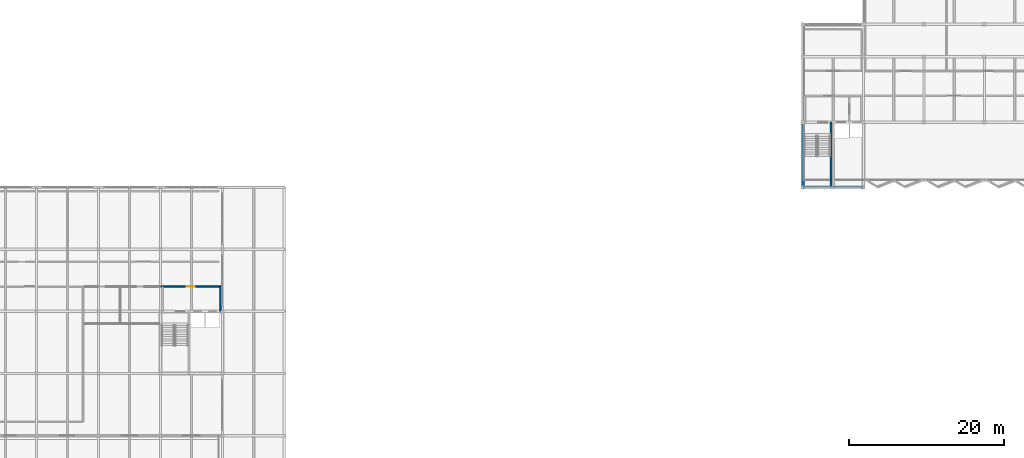
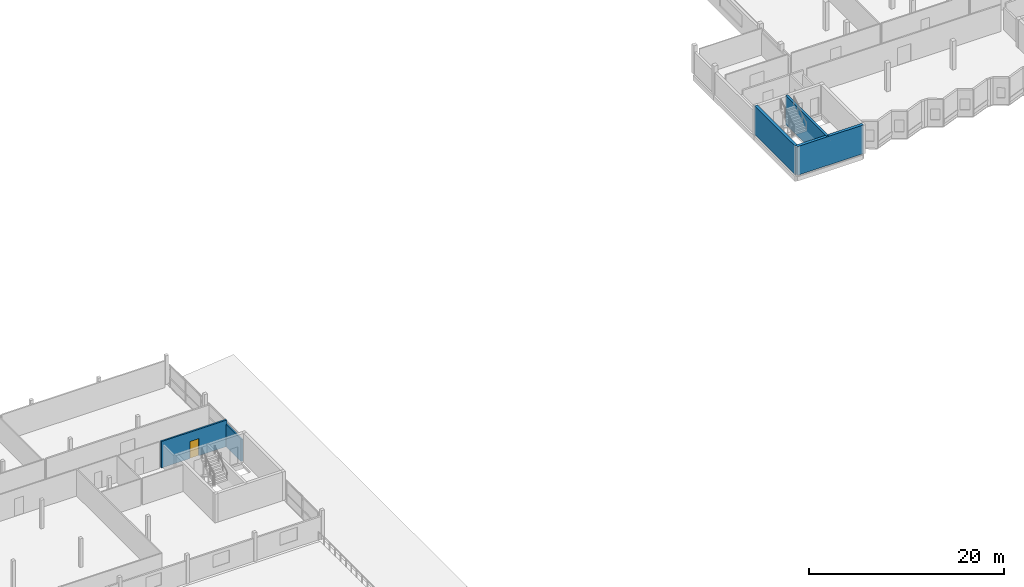
# One storey, part 15 of 25: 5 walls, 1 door, 1 opening.
"""IFC4 building model written with IfcOpenShell, lengths in metres."""

from ifc_helpers import new_model, si_unit, direction, frame, frame_2d, origin, place, context, subcontext, project, spatial, rectangle, extrude, material, layer, layer_set, type_object, element, fill, save


model = new_model("IFC4")

# Units and contexts
model_context = context("Model", 3, precision=1e-05, world=origin(), true_north=direction((0.0, 1.0)))
body_context = subcontext(model_context, "Body", "Model", "MODEL_VIEW")
ifc_project = project(units=[si_unit("LENGTHUNIT", "METRE"), si_unit("AREAUNIT", "SQUARE_METRE"), si_unit("VOLUMEUNIT", "CUBIC_METRE"), si_unit("PLANEANGLEUNIT", "RADIAN"), si_unit("MASSUNIT", "GRAM", prefix="KILO")], contexts=[model_context])

# Site, building, storey
site_placement = place(None, origin())
site = spatial("IfcSite", under=ifc_project, at=site_placement, CompositionType="ELEMENT")
building_placement = place(site_placement, origin())
building = spatial("IfcBuilding", under=site, at=building_placement, Name="Vharandega Faculty of Natural Sciences", CompositionType="ELEMENT")
storey_placement = place(building_placement, frame((0.0, 0.0, 25.199951171875)))
storey = spatial("IfcBuildingStorey", under=building, at=storey_placement, Name="L06", CompositionType="ELEMENT", Elevation=25.199951171875)

# Walls
ifc_material_1 = material(Name="Concrete C40/50", Category="concrete")
ifc_layer_1 = layer(ifc_material_1, 0.35009765625, Name="Concrete C40/50")
ifc_layer_set_1 = layer_set([ifc_layer_1], Name="Concrete C40/50")
wall_type_1 = type_object("IfcWallType", Name="Core Shear Wall 350", PredefinedType="SHEAR", material=ifc_layer_set_1)
wall_1_placement = place(storey_placement, frame((114.800048828125, 64.0, 0.0), z_axis=(0.0, 0.0, 1.0), x_axis=(1.0, 0.0, 0.0)))
element("IfcWall", 1, at=wall_1_placement, inside=storey, type_object=wall_type_1, Name="Interior Wall CW-C1-L06-S", PredefinedType="SHEAR", context=body_context, shape_type="SweptSolid", body=[
    extrude(rectangle(XDim=7.800048828125, YDim=0.35009765625, at=frame_2d((3.89990234375, 0.0))), origin(), (0.0, 0.0, 1.0), 3.60009765625),
])
wall_2_placement = place(storey_placement, frame((114.800048828125, 64.0, 0.0), z_axis=(0.0, 0.0, 1.0), x_axis=(0.0, 1.0, 0.0)))
element("IfcWall", 2, at=wall_2_placement, inside=storey, type_object=wall_type_1, Name="Interior Wall CW-C1-L06-W", PredefinedType="SHEAR", context=body_context, shape_type="SweptSolid", body=[
    extrude(rectangle(XDim=8.39990234375, YDim=0.35009765625, at=frame_2d((4.199951171875, 0.0))), origin(), (0.0, 0.0, 1.0), 3.60009765625),
])

# Wall, opening, door
ifc_material_2 = material(Name="Concrete C40/50", Category="concrete")
ifc_layer_2 = layer(ifc_material_2, 0.199951171875, Name="Concrete C40/50")
ifc_layer_set_2 = layer_set([ifc_layer_2], Name="Concrete C40/50")
wall_type_2 = type_object("IfcWallType", Name="Firefighting Lobby Wall 200", PredefinedType="PARTITIONING", material=ifc_layer_set_2)
wall_3_placement = place(storey_placement, frame((32.0, 51.199951171875, 0.0), z_axis=(0.0, 0.0, 1.0), x_axis=(1.0, 0.0, 0.0)))
wall_3 = element("IfcWall", 3, at=wall_3_placement, inside=storey, type_object=wall_type_2, Name="Interior Wall PW-LL-C3-L06-N", PredefinedType="PARTITIONING", context=body_context, shape_type="SweptSolid", body=[
    extrude(rectangle(XDim=7.75, YDim=0.199951171875, at=frame_2d((3.875, 0.0))), origin(), (0.0, 0.0, 1.0), 3.320068359375),
])
opening_placement = place(wall_3_placement, frame((3.375, 0.0, 0.0)))
opening = element("IfcOpeningElement", 4, at=opening_placement, cuts=wall_3, Name="Opening FD4", PredefinedType="OPENING", context=body_context, shape_type="SweptSolid", body=[
    extrude(rectangle(XDim=1.050048828125, YDim=2.14990234375, at=frame_2d((0.52490234375, 1.074951171875))), frame((0.0, 0.10986328125, 0.0), z_axis=(0.0, -1.0, 0.0), x_axis=(1.0, 0.0, 0.0)), (0.0, 0.0, 1.0), 0.219970703125),
])
ifc_material_3 = material(Name="Solid-core hardwood timber fire door", Category="wood")
door_type = type_object("IfcDoorType", Name="FD4-LAB-SGL-1050x2150", OperationType="NOTDEFINED", PredefinedType="DOOR", material=ifc_material_3)
door_placement = place(opening_placement, origin())
door = element("IfcDoor", 5, at=door_placement, inside=storey, type_object=door_type, Name="Lift Lobby C3 Door FD4", OperationType="SINGLE_SWING_LEFT", OverallHeight=2.14990234375, OverallWidth=1.050048828125, PredefinedType="DOOR", context=body_context, shape_type="SweptSolid", body=[
    extrude(rectangle(XDim=1.050048828125, YDim=2.14990234375, at=frame_2d((0.52490234375, 1.074951171875))), frame((0.0, 0.02490234375, 0.0), z_axis=(0.0, -1.0, 0.0), x_axis=(1.0, 0.0, 0.0)), (0.0, 0.0, 1.0), 0.050048828125),
])
fill(opening, door)

# Walls
wall_4_placement = place(storey_placement, frame((39.75, 48.0, 0.0), z_axis=(0.0, 0.0, 1.0), x_axis=(0.0, 1.0, 0.0)))
element("IfcWall", 6, at=wall_4_placement, inside=storey, type_object=wall_type_2, Name="Interior Wall PW-LL-C3-L06-E", PredefinedType="PARTITIONING", context=body_context, shape_type="SweptSolid", body=[
    extrude(rectangle(XDim=3.199951171875, YDim=0.199951171875, at=frame_2d((1.60009765625, 0.0))), origin(), (0.0, 0.0, 1.0), 2.800048828125),
])
ifc_material_4 = material(Name="Concrete C40/50", Category="concrete")
ifc_layer_3 = layer(ifc_material_4, 0.260009765625, Name="Concrete C40/50")
ifc_layer_set_3 = layer_set([ifc_layer_3], Name="Concrete C40/50")
wall_type_3 = type_object("IfcWallType", Name="Lift Shaft Shear Wall 260", PredefinedType="SHEAR", material=ifc_layer_set_3)
wall_5_placement = place(storey_placement, frame((118.43994140625, 64.0, 0.0), z_axis=(0.0, 0.0, 1.0), x_axis=(0.0, 1.0, 0.0)))
element("IfcWall", 7, at=wall_5_placement, inside=storey, type_object=wall_type_3, Name="Interior Wall CW-C1-L06-DIV", PredefinedType="SHEAR", context=body_context, shape_type="SweptSolid", body=[
    extrude(rectangle(XDim=8.39990234375, YDim=0.260009765625, at=frame_2d((4.199951171875, 0.0))), origin(), (0.0, 0.0, 1.0), 3.60009765625),
])

save(model, "model.ifc")
